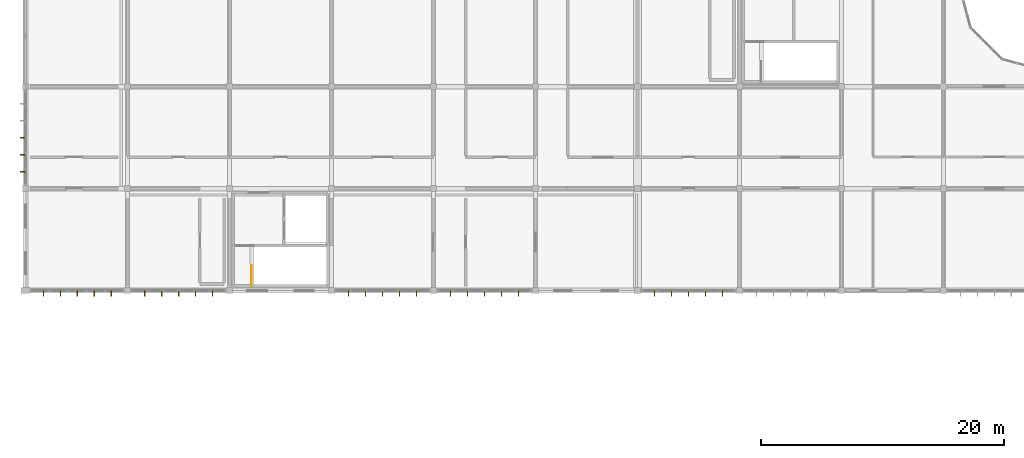
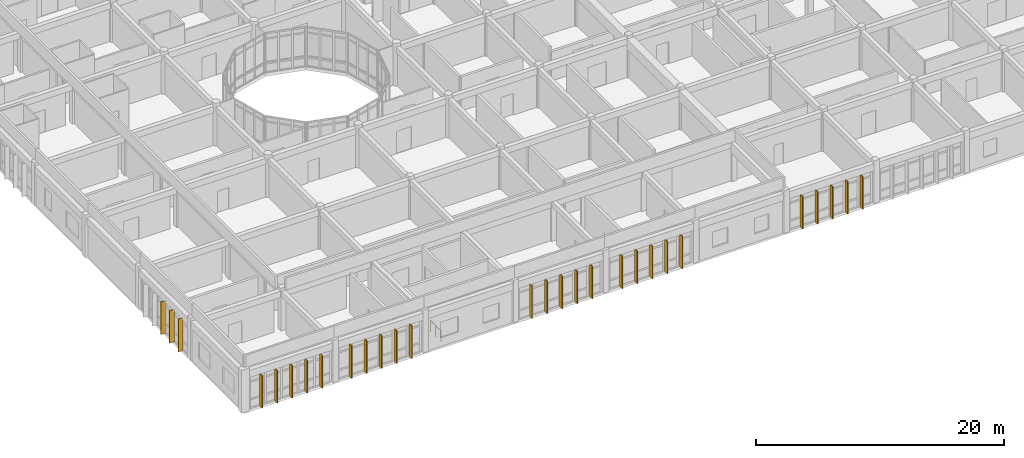
# One storey, part 102 of 119: 28 shading devices, 1 railing.
"""IFC4 building model written with IfcOpenShell, lengths in metres."""

import ifcopenshell
import ifcopenshell.guid

model = None  # the IFC model being written
_history = None  # IfcOwnerHistory: only IFC2X3 demands one
_inside = {}  # id of a spatial element -> (the spatial element, [elements in it])
_under = {}  # id of a project, library or spatial element -> (it, [spatial elements below it])
_declared = {}  # id of a project -> (the project, [libraries it declares])
_typed = {}  # id of a type object -> (the type object, [elements of that type])
_made_of = {}  # id of a material, layer set ... -> (it, [elements and type objects made of it])


def new_model(schema):
    """Start an empty IFC model of exactly this schema.

    Asked for "IFC4X3", IfcOpenShell would pick the latest addendum, in which some entities
    have other attributes; the version numbers below select the first issue.
    IFC2X3 requires an IfcOwnerHistory on every rooted entity: one is made here for all.
    """
    global model, _history
    if schema == "IFC4X3":
        model = ifcopenshell.file(schema_version=(4, 3, 0, 0))
    else:
        model = ifcopenshell.file(schema=schema)
    _inside.clear()
    _under.clear()
    _declared.clear()
    _typed.clear()
    _made_of.clear()
    _history = None
    if model.schema == "IFC2X3":
        org = make("IfcOrganization", Name="unknown")
        user = make(
            "IfcPersonAndOrganization",
            ThePerson=make("IfcPerson", FamilyName="unknown"),
            TheOrganization=org,
        )
        app = make(
            "IfcApplication",
            ApplicationDeveloper=org,
            Version="unknown",
            ApplicationFullName="unknown",
            ApplicationIdentifier="unknown",
        )
        _history = make(
            "IfcOwnerHistory",
            OwningUser=user,
            OwningApplication=app,
            ChangeAction="ADDED",
            CreationDate=0,
        )
    return model


def make(cls, **values):
    """One entity of the class cls with the attributes given. An attribute that is None is left unset."""
    return model.create_entity(
        cls, **{name: value for name, value in values.items() if value is not None}
    )


def rooted(cls, **values):
    """An entity with a GlobalId (a new one), such as an element, a storey or a relation."""
    return make(cls, GlobalId=ifcopenshell.guid.new(), OwnerHistory=_history, **values)


def si_unit(unit_type, name, prefix=None):
    """IfcSIUnit, for example si_unit("LENGTHUNIT", "METRE", prefix="MILLI")."""
    return make("IfcSIUnit", UnitType=unit_type, Prefix=prefix, Name=name)


def assignment(units):
    """IfcUnitAssignment: the units of a project."""
    return None if units is None else make("IfcUnitAssignment", Units=units)


def point(xyz):
    """IfcCartesianPoint."""
    return None if xyz is None else make("IfcCartesianPoint", Coordinates=xyz)


def direction(xyz):
    """IfcDirection."""
    return None if xyz is None else make("IfcDirection", DirectionRatios=xyz)


def frame(location, z_axis=None, x_axis=None):
    """IfcAxis2Placement3D, a coordinate frame: its origin and axes. An axis left out is left unset."""
    return make(
        "IfcAxis2Placement3D",
        Location=point(location),
        Axis=direction(z_axis),
        RefDirection=direction(x_axis),
    )


def frame_2d(location, x_axis=None):
    """IfcAxis2Placement2D, a coordinate frame in the plane: its origin and x axis."""
    return make(
        "IfcAxis2Placement2D", Location=point(location), RefDirection=direction(x_axis)
    )


def origin():
    """The frame at (0, 0, 0) with its axes left unset."""
    return frame((0.0, 0.0, 0.0))


def origin_2d():
    """The frame at (0, 0) in the plane with its x axis left unset."""
    return frame_2d((0.0, 0.0))


def place(relative_to, where):
    """IfcLocalPlacement: puts the frame where relative to a parent placement (None: the world)."""
    return make(
        "IfcLocalPlacement", PlacementRelTo=relative_to, RelativePlacement=where
    )


def context(
    kind, dimensions, precision=None, world=None, true_north=None, identifier=None
):
    """IfcGeometricRepresentationContext, for example the 3D "Model" context."""
    return make(
        "IfcGeometricRepresentationContext",
        ContextIdentifier=identifier,
        ContextType=kind,
        CoordinateSpaceDimension=dimensions,
        Precision=precision,
        WorldCoordinateSystem=world,
        TrueNorth=true_north,
    )


def subcontext(parent, identifier, kind, view, scale=None):
    """IfcGeometricRepresentationSubContext, for example "Body" below "Model"."""
    return make(
        "IfcGeometricRepresentationSubContext",
        ContextIdentifier=identifier,
        ContextType=kind,
        ParentContext=parent,
        TargetScale=scale,
        TargetView=view,
    )


def project(units=None, contexts=None):
    """IfcProject with its units and contexts."""
    return rooted(
        "IfcProject",
        Name="project",
        RepresentationContexts=contexts,
        UnitsInContext=assignment(units),
    )


def spatial(cls, under=None, at=None, **own):
    """A site, building, storey or space (cls), placed at a placement, below another one or the project."""
    s = rooted(cls, ObjectPlacement=at, **own)
    if under is not None:
        _under.setdefault(under.id(), (under, []))[1].append(s)
    return s


def profile(cls, at=None, kind="AREA", **sizes):
    """A parametric profile (cls). Its sizes go by their IFC names, for example OverallWidth=200.0."""
    return make(cls, ProfileType=kind, Position=at, **sizes)


def rectangle(**sizes):
    """IfcRectangleProfileDef."""
    return profile("IfcRectangleProfileDef", **sizes)


def circle(**sizes):
    """IfcCircleProfileDef."""
    return profile("IfcCircleProfileDef", **sizes)


def extrude(swept, where, along, depth):
    """IfcExtrudedAreaSolid: the profile swept, set in the frame where, extruded along a direction by depth."""
    return make(
        "IfcExtrudedAreaSolid",
        SweptArea=swept,
        Position=where,
        ExtrudedDirection=direction(along),
        Depth=depth,
    )


def shape(context_of_items, identifier, shape_type, items):
    """IfcShapeRepresentation: the items that make up one representation, for example the "Body"."""
    return make(
        "IfcShapeRepresentation",
        ContextOfItems=context_of_items,
        RepresentationIdentifier=identifier,
        RepresentationType=shape_type,
        Items=items,
    )


def material(Name=None, Category=None):
    """IfcMaterial."""
    return make("IfcMaterial", Name=Name, Category=Category)


def material_profile(
    of_material, cross_section, Name=None, Category=None, Priority=None
):
    """IfcMaterialProfile: a cross section and its material."""
    return make(
        "IfcMaterialProfile",
        Name=Name,
        Material=of_material,
        Profile=cross_section,
        Priority=Priority,
        Category=Category,
    )


def profile_set(profiles, Name=None, composite=None):
    """IfcMaterialProfileSet."""
    return make(
        "IfcMaterialProfileSet",
        Name=Name,
        MaterialProfiles=profiles,
        CompositeProfile=composite,
    )


def made_of(thing, what):
    """Note that an element or type object is made of a material, layer set ...; save() writes the relation."""
    if what is not None:
        _made_of.setdefault(what.id(), (what, []))[1].append(thing)
    return thing


def type_object(cls, material=None, **own):
    """A type object (cls), such as IfcWallType, which elements share."""
    return made_of(rooted(cls, **own), material)


def element(
    cls,
    number,
    at=None,
    inside=None,
    cuts=None,
    type_object=None,
    material=None,
    context=None,
    identifier="Body",
    shape_type=None,
    held_by="IfcProductDefinitionShape",
    body=None,
    shapes=None,
    **own,
):
    """One element of the class cls, such as IfcWall. Its Tag is "e" and its number.

    at: its placement. inside: the storey or other place that contains it. cuts: it is an
    opening in that element (IfcRelVoidsElement). A single representation is given by context,
    identifier, shape_type and body (its items); several are given by shapes. held_by: the class
    of the entity that holds the representations. save() writes the other relations.
    """
    e = rooted(cls, Tag="e%d" % number, ObjectPlacement=at, **own)
    if body is not None:
        shapes = [shape(context, identifier, shape_type, body)]
    if shapes is not None:
        e.Representation = make(held_by, Representations=shapes)
    if inside is not None:
        _inside.setdefault(inside.id(), (inside, []))[1].append(e)
    if cuts is not None:
        rooted(
            "IfcRelVoidsElement", RelatingBuildingElement=cuts, RelatedOpeningElement=e
        )
    if type_object is not None:
        _typed.setdefault(type_object.id(), (type_object, []))[1].append(e)
    return made_of(e, material)


def aggregate(whole, parts):
    """IfcRelAggregates: a whole, such as a stair, and the parts it consists of."""
    return rooted("IfcRelAggregates", RelatingObject=whole, RelatedObjects=parts)


def save(model, path):
    """Write the relations noted so far, then the file.

    IfcRelAggregates (storeys below a building ...), IfcRelContainedInSpatialStructure (elements
    in a storey), IfcRelDefinesByType, IfcRelAssociatesMaterial and IfcRelDeclares: one each for
    every whole, place, type object, material and project.
    """
    for whole, parts in _under.values():
        aggregate(whole, parts)
    for where, things in _inside.values():
        rooted(
            "IfcRelContainedInSpatialStructure",
            RelatedElements=things,
            RelatingStructure=where,
        )
    for kind, things in _typed.values():
        rooted("IfcRelDefinesByType", RelatedObjects=things, RelatingType=kind)
    for what, things in _made_of.values():
        rooted("IfcRelAssociatesMaterial", RelatedObjects=things, RelatingMaterial=what)
    for by, libraries in _declared.values():
        rooted("IfcRelDeclares", RelatingContext=by, RelatedDefinitions=libraries)
    model.write(path)


model = new_model("IFC4")

# Units and contexts
model_context = context("Model", 3, precision=1e-05, world=origin(), true_north=direction((0.0, 1.0)))
body_context = subcontext(model_context, "Body", "Model", "MODEL_VIEW")
ifc_project = project(units=[si_unit("LENGTHUNIT", "METRE"), si_unit("AREAUNIT", "SQUARE_METRE"), si_unit("VOLUMEUNIT", "CUBIC_METRE"), si_unit("PLANEANGLEUNIT", "RADIAN"), si_unit("MASSUNIT", "GRAM", prefix="KILO")], contexts=[model_context])

# Site, building, storey
site_placement = place(None, origin())
site = spatial("IfcSite", under=ifc_project, at=site_placement, CompositionType="ELEMENT")
building_placement = place(site_placement, origin())
building = spatial("IfcBuilding", under=site, at=building_placement, Name="Bramfleet General Hospital", CompositionType="ELEMENT")
storey_placement = place(building_placement, frame((0.0, 0.0, 14.39990234375)))
storey = spatial("IfcBuildingStorey", under=building, at=storey_placement, Name="L03", CompositionType="ELEMENT", Elevation=14.39990234375)

# Railing
ifc_material_1 = material(Name="Powder-coated steel stair balustrade", Category="steel")
railing_type = type_object("IfcRailingType", Name="RAIL-ST-GUARD", PredefinedType="GUARDRAIL", material=ifc_material_1)
railing_placement = place(storey_placement, frame((18.590087890625, 50.820068359375, 0.0)))
element("IfcRailing", 1, at=railing_placement, inside=storey, type_object=railing_type, Name="L03 ST-C2 top well guard 1", PredefinedType="GUARDRAIL", context=body_context, shape_type="SweptSolid", body=[
    extrude(circle(Radius=0.02392578125, at=origin_2d()), frame((0.0, 0.0, 1.076171875), z_axis=(0.0, 1.0, 0.0), x_axis=(-1.0, 0.0, 0.0)), (0.0, 0.0, 1.0), 1.659912109375),
    extrude(circle(Radius=0.02099609375, at=origin_2d()), origin(), (0.0, 0.0, 1.0), 1.052001953125),
    extrude(circle(Radius=0.02099609375, at=origin_2d()), frame((0.0, 0.830078125, 0.0)), (0.0, 0.0, 1.0), 1.052001953125),
    extrude(circle(Radius=0.02099609375, at=origin_2d()), frame((0.0, 1.659912109375, 0.0)), (0.0, 0.0, 1.0), 1.052001953125),
])

# Shading devices
ifc_material_2 = material(Name="Treated European larch timber", Category="wood")
ifc_material_profile = material_profile(ifc_material_2, rectangle(XDim=0.06494140625, YDim=0.449951171875, at=origin_2d()), Name="LARCH FIN 450x65")
ifc_profile_set = profile_set([ifc_material_profile], Name="Treated European larch timber")
shading_device_type = type_object("IfcShadingDeviceType", Name="SHD-FIN-450", PredefinedType="USERDEFINED", material=ifc_profile_set)
for number, where, z_axis, x_axis, name in (
    (2, (-0.239990234375, 60.199951171875, -0.02001953125), (0.0, 0.0, 1.0), (0.0, 1.0, 0.0), "L03 Larch Timber Shading Fin 519"),
    (3, (-0.239990234375, 61.60009765625, -0.02001953125), (0.0, 0.0, 1.0), (0.0, 1.0, 0.0), "L03 Larch Timber Shading Fin 520"),
    (4, (-0.239990234375, 63.0, -0.02001953125), (0.0, 0.0, 1.0), (0.0, 1.0, 0.0), "L03 Larch Timber Shading Fin 521"),
    (5, (57.39990234375, 50.159912109375, -0.02001953125), (0.0, 0.0, 1.0), (-1.0, 0.0, 0.0), "L03 Larch Timber Shading Fin 692"),
    (6, (56.0, 50.159912109375, -0.02001953125), (0.0, 0.0, 1.0), (-1.0, 0.0, 0.0), "L03 Larch Timber Shading Fin 693"),
    (7, (54.60009765625, 50.159912109375, -0.02001953125), (0.0, 0.0, 1.0), (-1.0, 0.0, 0.0), "L03 Larch Timber Shading Fin 694"),
    (8, (53.199951171875, 50.159912109375, -0.02001953125), (0.0, 0.0, 1.0), (-1.0, 0.0, 0.0), "L03 Larch Timber Shading Fin 695"),
    (9, (51.800048828125, 50.159912109375, -0.02001953125), (0.0, 0.0, 1.0), (-1.0, 0.0, 0.0), "L03 Larch Timber Shading Fin 696"),
    (10, (40.60009765625, 50.159912109375, -0.02001953125), (0.0, 0.0, 1.0), (-1.0, 0.0, 0.0), "L03 Larch Timber Shading Fin 697"),
    (11, (39.199951171875, 50.159912109375, -0.02001953125), (0.0, 0.0, 1.0), (-1.0, 0.0, 0.0), "L03 Larch Timber Shading Fin 698"),
    (12, (37.800048828125, 50.159912109375, -0.02001953125), (0.0, 0.0, 1.0), (-1.0, 0.0, 0.0), "L03 Larch Timber Shading Fin 699"),
    (13, (36.39990234375, 50.159912109375, -0.02001953125), (0.0, 0.0, 1.0), (-1.0, 0.0, 0.0), "L03 Larch Timber Shading Fin 700"),
    (14, (35.0, 50.159912109375, -0.02001953125), (0.0, 0.0, 1.0), (-1.0, 0.0, 0.0), "L03 Larch Timber Shading Fin 701"),
    (15, (32.199951171875, 50.159912109375, -0.02001953125), (0.0, 0.0, 1.0), (-1.0, 0.0, 0.0), "L03 Larch Timber Shading Fin 702"),
    (16, (30.800048828125, 50.159912109375, -0.02001953125), (0.0, 0.0, 1.0), (-1.0, 0.0, 0.0), "L03 Larch Timber Shading Fin 703"),
    (17, (29.39990234375, 50.159912109375, -0.02001953125), (0.0, 0.0, 1.0), (-1.0, 0.0, 0.0), "L03 Larch Timber Shading Fin 704"),
    (18, (28.0, 50.159912109375, -0.02001953125), (0.0, 0.0, 1.0), (-1.0, 0.0, 0.0), "L03 Larch Timber Shading Fin 705"),
    (19, (26.60009765625, 50.159912109375, -0.02001953125), (0.0, 0.0, 1.0), (-1.0, 0.0, 0.0), "L03 Larch Timber Shading Fin 706"),
    (20, (15.39990234375, 50.159912109375, -0.02001953125), (0.0, 0.0, 1.0), (-1.0, 0.0, 0.0), "L03 Larch Timber Shading Fin 707"),
    (21, (14.0, 50.159912109375, -0.02001953125), (0.0, 0.0, 1.0), (-1.0, 0.0, 0.0), "L03 Larch Timber Shading Fin 708"),
    (22, (12.60009765625, 50.159912109375, -0.02001953125), (0.0, 0.0, 1.0), (-1.0, 0.0, 0.0), "L03 Larch Timber Shading Fin 709"),
    (23, (11.199951171875, 50.159912109375, -0.02001953125), (0.0, 0.0, 1.0), (-1.0, 0.0, 0.0), "L03 Larch Timber Shading Fin 710"),
    (24, (9.800048828125, 50.159912109375, -0.02001953125), (0.0, 0.0, 1.0), (-1.0, 0.0, 0.0), "L03 Larch Timber Shading Fin 711"),
    (25, (7.0625, 50.159912109375, -0.02001953125), (0.0, 0.0, 1.0), (-1.0, 0.0, 0.0), "L03 Larch Timber Shading Fin 712"),
    (26, (5.66259765625, 50.159912109375, -0.02001953125), (0.0, 0.0, 1.0), (-1.0, 0.0, 0.0), "L03 Larch Timber Shading Fin 713"),
    (27, (4.262451171875, 50.159912109375, -0.02001953125), (0.0, 0.0, 1.0), (-1.0, 0.0, 0.0), "L03 Larch Timber Shading Fin 714"),
    (28, (2.862548828125, 50.159912109375, -0.02001953125), (0.0, 0.0, 1.0), (-1.0, 0.0, 0.0), "L03 Larch Timber Shading Fin 715"),
    (29, (1.46240234375, 50.159912109375, -0.02001953125), (0.0, 0.0, 1.0), (-1.0, 0.0, 0.0), "L03 Larch Timber Shading Fin 716"),
):
    element("IfcShadingDevice", number, at=place(storey_placement, frame(where, z_axis=z_axis, x_axis=x_axis)), inside=storey, type_object=shading_device_type, Name=name, ObjectType="Fin", PredefinedType="USERDEFINED", context=body_context, shape_type="SweptSolid", body=[
        extrude(rectangle(XDim=0.06494140625, YDim=0.449951171875, at=origin_2d()), origin(), (0.0, 0.0, 1.0), 3.22021484375),
    ])

save(model, "model.ifc")
